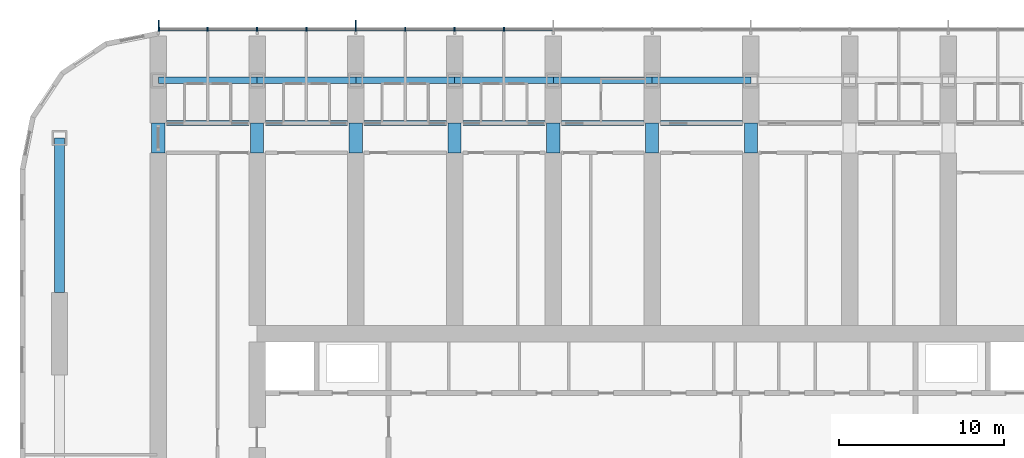
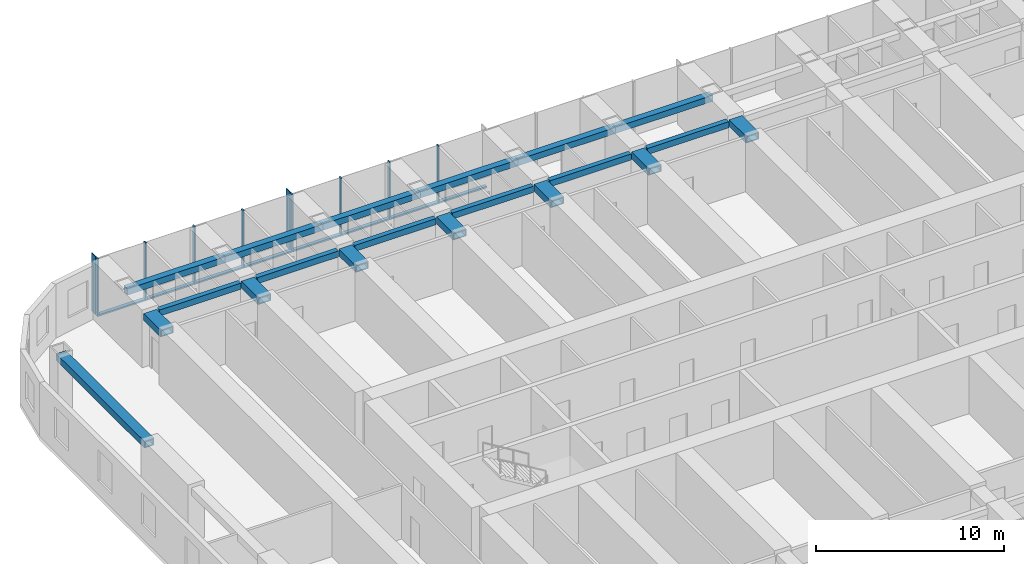
# One storey, part 4 of 25: 20 beams, 18 members, 1 element without a shape of its own.
"""IFC4 building model written with IfcOpenShell, lengths in metres."""

import ifcopenshell
import ifcopenshell.guid

model = None  # the IFC model being written
_history = None  # IfcOwnerHistory: only IFC2X3 demands one
_inside = {}  # id of a spatial element -> (the spatial element, [elements in it])
_under = {}  # id of a project, library or spatial element -> (it, [spatial elements below it])
_declared = {}  # id of a project -> (the project, [libraries it declares])
_typed = {}  # id of a type object -> (the type object, [elements of that type])
_made_of = {}  # id of a material, layer set ... -> (it, [elements and type objects made of it])


def new_model(schema):
    """Start an empty IFC model of exactly this schema.

    Asked for "IFC4X3", IfcOpenShell would pick the latest addendum, in which some entities
    have other attributes; the version numbers below select the first issue.
    IFC2X3 requires an IfcOwnerHistory on every rooted entity: one is made here for all.
    """
    global model, _history
    if schema == "IFC4X3":
        model = ifcopenshell.file(schema_version=(4, 3, 0, 0))
    else:
        model = ifcopenshell.file(schema=schema)
    _inside.clear()
    _under.clear()
    _declared.clear()
    _typed.clear()
    _made_of.clear()
    _history = None
    if model.schema == "IFC2X3":
        org = make("IfcOrganization", Name="unknown")
        user = make(
            "IfcPersonAndOrganization",
            ThePerson=make("IfcPerson", FamilyName="unknown"),
            TheOrganization=org,
        )
        app = make(
            "IfcApplication",
            ApplicationDeveloper=org,
            Version="unknown",
            ApplicationFullName="unknown",
            ApplicationIdentifier="unknown",
        )
        _history = make(
            "IfcOwnerHistory",
            OwningUser=user,
            OwningApplication=app,
            ChangeAction="ADDED",
            CreationDate=0,
        )
    return model


def make(cls, **values):
    """One entity of the class cls with the attributes given. An attribute that is None is left unset."""
    return model.create_entity(
        cls, **{name: value for name, value in values.items() if value is not None}
    )


def rooted(cls, **values):
    """An entity with a GlobalId (a new one), such as an element, a storey or a relation."""
    return make(cls, GlobalId=ifcopenshell.guid.new(), OwnerHistory=_history, **values)


def si_unit(unit_type, name, prefix=None):
    """IfcSIUnit, for example si_unit("LENGTHUNIT", "METRE", prefix="MILLI")."""
    return make("IfcSIUnit", UnitType=unit_type, Prefix=prefix, Name=name)


def assignment(units):
    """IfcUnitAssignment: the units of a project."""
    return None if units is None else make("IfcUnitAssignment", Units=units)


def point(xyz):
    """IfcCartesianPoint."""
    return None if xyz is None else make("IfcCartesianPoint", Coordinates=xyz)


def direction(xyz):
    """IfcDirection."""
    return None if xyz is None else make("IfcDirection", DirectionRatios=xyz)


def frame(location, z_axis=None, x_axis=None):
    """IfcAxis2Placement3D, a coordinate frame: its origin and axes. An axis left out is left unset."""
    return make(
        "IfcAxis2Placement3D",
        Location=point(location),
        Axis=direction(z_axis),
        RefDirection=direction(x_axis),
    )


def frame_2d(location, x_axis=None):
    """IfcAxis2Placement2D, a coordinate frame in the plane: its origin and x axis."""
    return make(
        "IfcAxis2Placement2D", Location=point(location), RefDirection=direction(x_axis)
    )


def origin():
    """The frame at (0, 0, 0) with its axes left unset."""
    return frame((0.0, 0.0, 0.0))


def origin_2d():
    """The frame at (0, 0) in the plane with its x axis left unset."""
    return frame_2d((0.0, 0.0))


def place(relative_to, where):
    """IfcLocalPlacement: puts the frame where relative to a parent placement (None: the world)."""
    return make(
        "IfcLocalPlacement", PlacementRelTo=relative_to, RelativePlacement=where
    )


def context(
    kind, dimensions, precision=None, world=None, true_north=None, identifier=None
):
    """IfcGeometricRepresentationContext, for example the 3D "Model" context."""
    return make(
        "IfcGeometricRepresentationContext",
        ContextIdentifier=identifier,
        ContextType=kind,
        CoordinateSpaceDimension=dimensions,
        Precision=precision,
        WorldCoordinateSystem=world,
        TrueNorth=true_north,
    )


def subcontext(parent, identifier, kind, view, scale=None):
    """IfcGeometricRepresentationSubContext, for example "Body" below "Model"."""
    return make(
        "IfcGeometricRepresentationSubContext",
        ContextIdentifier=identifier,
        ContextType=kind,
        ParentContext=parent,
        TargetScale=scale,
        TargetView=view,
    )


def project(units=None, contexts=None):
    """IfcProject with its units and contexts."""
    return rooted(
        "IfcProject",
        Name="project",
        RepresentationContexts=contexts,
        UnitsInContext=assignment(units),
    )


def spatial(cls, under=None, at=None, **own):
    """A site, building, storey or space (cls), placed at a placement, below another one or the project."""
    s = rooted(cls, ObjectPlacement=at, **own)
    if under is not None:
        _under.setdefault(under.id(), (under, []))[1].append(s)
    return s


def profile(cls, at=None, kind="AREA", **sizes):
    """A parametric profile (cls). Its sizes go by their IFC names, for example OverallWidth=200.0."""
    return make(cls, ProfileType=kind, Position=at, **sizes)


def rectangle(**sizes):
    """IfcRectangleProfileDef."""
    return profile("IfcRectangleProfileDef", **sizes)


def hollow_rectangle(**sizes):
    """IfcRectangleHollowProfileDef."""
    return profile("IfcRectangleHollowProfileDef", **sizes)


def extrude(swept, where, along, depth):
    """IfcExtrudedAreaSolid: the profile swept, set in the frame where, extruded along a direction by depth."""
    return make(
        "IfcExtrudedAreaSolid",
        SweptArea=swept,
        Position=where,
        ExtrudedDirection=direction(along),
        Depth=depth,
    )


def shape(context_of_items, identifier, shape_type, items):
    """IfcShapeRepresentation: the items that make up one representation, for example the "Body"."""
    return make(
        "IfcShapeRepresentation",
        ContextOfItems=context_of_items,
        RepresentationIdentifier=identifier,
        RepresentationType=shape_type,
        Items=items,
    )


def material(Name=None, Category=None):
    """IfcMaterial."""
    return make("IfcMaterial", Name=Name, Category=Category)


def material_profile(
    of_material, cross_section, Name=None, Category=None, Priority=None
):
    """IfcMaterialProfile: a cross section and its material."""
    return make(
        "IfcMaterialProfile",
        Name=Name,
        Material=of_material,
        Profile=cross_section,
        Priority=Priority,
        Category=Category,
    )


def profile_set(profiles, Name=None, composite=None):
    """IfcMaterialProfileSet."""
    return make(
        "IfcMaterialProfileSet",
        Name=Name,
        MaterialProfiles=profiles,
        CompositeProfile=composite,
    )


def made_of(thing, what):
    """Note that an element or type object is made of a material, layer set ...; save() writes the relation."""
    if what is not None:
        _made_of.setdefault(what.id(), (what, []))[1].append(thing)
    return thing


def type_object(cls, material=None, **own):
    """A type object (cls), such as IfcWallType, which elements share."""
    return made_of(rooted(cls, **own), material)


def element(
    cls,
    number,
    at=None,
    inside=None,
    cuts=None,
    type_object=None,
    material=None,
    context=None,
    identifier="Body",
    shape_type=None,
    held_by="IfcProductDefinitionShape",
    body=None,
    shapes=None,
    **own,
):
    """One element of the class cls, such as IfcWall. Its Tag is "e" and its number.

    at: its placement. inside: the storey or other place that contains it. cuts: it is an
    opening in that element (IfcRelVoidsElement). A single representation is given by context,
    identifier, shape_type and body (its items); several are given by shapes. held_by: the class
    of the entity that holds the representations. save() writes the other relations.
    """
    e = rooted(cls, Tag="e%d" % number, ObjectPlacement=at, **own)
    if body is not None:
        shapes = [shape(context, identifier, shape_type, body)]
    if shapes is not None:
        e.Representation = make(held_by, Representations=shapes)
    if inside is not None:
        _inside.setdefault(inside.id(), (inside, []))[1].append(e)
    if cuts is not None:
        rooted(
            "IfcRelVoidsElement", RelatingBuildingElement=cuts, RelatedOpeningElement=e
        )
    if type_object is not None:
        _typed.setdefault(type_object.id(), (type_object, []))[1].append(e)
    return made_of(e, material)


def aggregate(whole, parts):
    """IfcRelAggregates: a whole, such as a stair, and the parts it consists of."""
    return rooted("IfcRelAggregates", RelatingObject=whole, RelatedObjects=parts)


def save(model, path):
    """Write the relations noted so far, then the file.

    IfcRelAggregates (storeys below a building ...), IfcRelContainedInSpatialStructure (elements
    in a storey), IfcRelDefinesByType, IfcRelAssociatesMaterial and IfcRelDeclares: one each for
    every whole, place, type object, material and project.
    """
    for whole, parts in _under.values():
        aggregate(whole, parts)
    for where, things in _inside.values():
        rooted(
            "IfcRelContainedInSpatialStructure",
            RelatedElements=things,
            RelatingStructure=where,
        )
    for kind, things in _typed.values():
        rooted("IfcRelDefinesByType", RelatedObjects=things, RelatingType=kind)
    for what, things in _made_of.values():
        rooted("IfcRelAssociatesMaterial", RelatedObjects=things, RelatingMaterial=what)
    for by, libraries in _declared.values():
        rooted("IfcRelDeclares", RelatingContext=by, RelatedDefinitions=libraries)
    model.write(path)


model = new_model("IFC4")

# Units and contexts
model_context = context("Model", 3, precision=1e-05, world=origin(), true_north=direction((0.0, 1.0)))
body_context = subcontext(model_context, "Body", "Model", "MODEL_VIEW")
ifc_project = project(units=[si_unit("LENGTHUNIT", "METRE"), si_unit("AREAUNIT", "SQUARE_METRE"), si_unit("VOLUMEUNIT", "CUBIC_METRE"), si_unit("PLANEANGLEUNIT", "RADIAN"), si_unit("MASSUNIT", "GRAM", prefix="KILO")], contexts=[model_context])

# Site, building, storey
site_placement = place(None, origin())
site = spatial("IfcSite", under=ifc_project, at=site_placement, CompositionType="ELEMENT")
building_placement = place(site_placement, origin())
building = spatial("IfcBuilding", under=site, at=building_placement, Name="Orbita Commons", CompositionType="ELEMENT")
storey_placement = place(building_placement, frame((0.0, 0.0, 31.449951171875)))
storey = spatial("IfcBuildingStorey", under=building, at=storey_placement, Name="L07", CompositionType="ELEMENT", Elevation=31.449951171875)

# Curtain wall, members
ifc_material_1 = material(Name="Anodised aluminium frame, pale silver", Category="aluminium")
curtain_wall_type = type_object("IfcCurtainWallType", Name="Unitised curtain wall CW-T, vision and spandrel", PredefinedType="NOTDEFINED", material=ifc_material_1)
curtain_wall_placement = place(storey_placement, origin())
curtain_wall = element("IfcCurtainWall", 1, at=curtain_wall_placement, inside=storey, type_object=curtain_wall_type, Name="Curtain wall north L07", PredefinedType="NOTDEFINED")
ifc_material_2 = material(Name="Anodised aluminium, pale silver", Category="aluminium")
ifc_material_profile_1 = material_profile(ifc_material_2, rectangle(XDim=0.080078125, YDim=0.219970703125, at=origin_2d()), Name="AL 80x220")
ifc_profile_set_1 = profile_set([ifc_material_profile_1], Name="Anodised aluminium, pale silver")
member_type_1 = type_object("IfcMemberType", Name="Curtain wall mullion 80x220", PredefinedType="MULLION", material=ifc_profile_set_1)
member_1_placement = place(storey_placement, frame((33.0, 56.7099609375, -0.25), z_axis=(0.0, 0.0, 1.0), x_axis=(-1.0, 0.0, 0.0)))
member_1 = element("IfcMember", 2, at=member_1_placement, type_object=member_type_1, Name="Mullion 14 CW-L07-N", PredefinedType="MULLION", context=body_context, shape_type="SweptSolid", body=[
    extrude(rectangle(XDim=0.080078125, YDim=0.219970703125, at=origin_2d()), origin(), (0.0, 0.0, 1.0), 3.75),
])
member_2_placement = place(storey_placement, frame((30.0, 56.7099609375, -0.25), z_axis=(0.0, 0.0, 1.0), x_axis=(-1.0, 0.0, 0.0)))
member_2 = element("IfcMember", 3, at=member_2_placement, type_object=member_type_1, Name="Mullion 15 CW-L07-N", PredefinedType="MULLION", context=body_context, shape_type="SweptSolid", body=[
    extrude(rectangle(XDim=0.080078125, YDim=0.219970703125, at=origin_2d()), origin(), (0.0, 0.0, 1.0), 3.75),
])
member_3_placement = place(storey_placement, frame((27.0, 56.7099609375, -0.25), z_axis=(0.0, 0.0, 1.0), x_axis=(-1.0, 0.0, 0.0)))
member_3 = element("IfcMember", 4, at=member_3_placement, type_object=member_type_1, Name="Mullion 16 CW-L07-N", PredefinedType="MULLION", context=body_context, shape_type="SweptSolid", body=[
    extrude(rectangle(XDim=0.080078125, YDim=0.219970703125, at=origin_2d()), origin(), (0.0, 0.0, 1.0), 3.75),
])
member_4_placement = place(storey_placement, frame((24.0, 56.7099609375, -0.25), z_axis=(0.0, 0.0, 1.0), x_axis=(-1.0, 0.0, 0.0)))
member_4 = element("IfcMember", 5, at=member_4_placement, type_object=member_type_1, Name="Mullion 17 CW-L07-N", PredefinedType="MULLION", context=body_context, shape_type="SweptSolid", body=[
    extrude(rectangle(XDim=0.080078125, YDim=0.219970703125, at=origin_2d()), origin(), (0.0, 0.0, 1.0), 3.75),
])
member_5_placement = place(storey_placement, frame((21.0, 56.7099609375, -0.25), z_axis=(0.0, 0.0, 1.0), x_axis=(-1.0, 0.0, 0.0)))
member_5 = element("IfcMember", 6, at=member_5_placement, type_object=member_type_1, Name="Mullion 18 CW-L07-N", PredefinedType="MULLION", context=body_context, shape_type="SweptSolid", body=[
    extrude(rectangle(XDim=0.080078125, YDim=0.219970703125, at=origin_2d()), origin(), (0.0, 0.0, 1.0), 3.75),
])
member_6_placement = place(storey_placement, frame((18.0, 56.7099609375, -0.25), z_axis=(0.0, 0.0, 1.0), x_axis=(-1.0, 0.0, 0.0)))
member_6 = element("IfcMember", 7, at=member_6_placement, type_object=member_type_1, Name="Mullion 19 CW-L07-N", PredefinedType="MULLION", context=body_context, shape_type="SweptSolid", body=[
    extrude(rectangle(XDim=0.080078125, YDim=0.219970703125, at=origin_2d()), origin(), (0.0, 0.0, 1.0), 3.75),
])
member_7_placement = place(storey_placement, frame((15.0, 56.7099609375, -0.25), z_axis=(0.0, 0.0, 1.0), x_axis=(-1.0, 0.0, 0.0)))
member_7 = element("IfcMember", 8, at=member_7_placement, type_object=member_type_1, Name="Mullion 20 CW-L07-N", PredefinedType="MULLION", context=body_context, shape_type="SweptSolid", body=[
    extrude(rectangle(XDim=0.080078125, YDim=0.219970703125, at=origin_2d()), origin(), (0.0, 0.0, 1.0), 3.75),
])
member_8_placement = place(storey_placement, frame((12.0400390625, 56.7099609375, -0.25), z_axis=(0.0, 0.0, 1.0), x_axis=(-1.0, 0.0, 0.0)))
member_8 = element("IfcMember", 9, at=member_8_placement, type_object=member_type_1, Name="Mullion 21 CW-L07-N", PredefinedType="MULLION", context=body_context, shape_type="SweptSolid", body=[
    extrude(rectangle(XDim=0.080078125, YDim=0.219970703125, at=origin_2d()), origin(), (0.0, 0.0, 1.0), 3.75),
])
ifc_material_3 = material(Name="Anodised aluminium, pale silver", Category="aluminium")
ifc_material_profile_2 = material_profile(ifc_material_3, rectangle(XDim=0.219970703125, YDim=0.10009765625, at=origin_2d()), Name="AL 220x100")
ifc_profile_set_2 = profile_set([ifc_material_profile_2], Name="Anodised aluminium, pale silver")
member_type_2 = type_object("IfcMemberType", Name="Curtain wall stack transom 220x100", PredefinedType="USERDEFINED", material=ifc_profile_set_2)
member_9_placement = place(storey_placement, frame((35.9599609375, 56.7099609375, -0.199951171875), z_axis=(-1.0, 0.0, 0.0), x_axis=(0.0, -1.0, 0.0)))
member_9 = element("IfcMember", 10, at=member_9_placement, type_object=member_type_2, Name="Transom 13.1 CW-L07-N", ObjectType="TRANSOM", PredefinedType="USERDEFINED", context=body_context, shape_type="SweptSolid", body=[
    extrude(rectangle(XDim=0.219970703125, YDim=0.10009765625, at=origin_2d()), origin(), (0.0, 0.0, 1.0), 2.919921875),
])
member_10_placement = place(storey_placement, frame((32.9599609375, 56.7099609375, -0.199951171875), z_axis=(-1.0, 0.0, 0.0), x_axis=(0.0, -1.0, 0.0)))
member_10 = element("IfcMember", 11, at=member_10_placement, type_object=member_type_2, Name="Transom 14.1 CW-L07-N", ObjectType="TRANSOM", PredefinedType="USERDEFINED", context=body_context, shape_type="SweptSolid", body=[
    extrude(rectangle(XDim=0.219970703125, YDim=0.10009765625, at=origin_2d()), origin(), (0.0, 0.0, 1.0), 2.919921875),
])
member_11_placement = place(storey_placement, frame((29.9599609375, 56.7099609375, -0.199951171875), z_axis=(-1.0, 0.0, 0.0), x_axis=(0.0, -1.0, 0.0)))
member_11 = element("IfcMember", 12, at=member_11_placement, type_object=member_type_2, Name="Transom 15.1 CW-L07-N", ObjectType="TRANSOM", PredefinedType="USERDEFINED", context=body_context, shape_type="SweptSolid", body=[
    extrude(rectangle(XDim=0.219970703125, YDim=0.10009765625, at=origin_2d()), origin(), (0.0, 0.0, 1.0), 2.919921875),
])
member_12_placement = place(storey_placement, frame((26.9599609375, 56.7099609375, -0.199951171875), z_axis=(-1.0, 0.0, 0.0), x_axis=(0.0, -1.0, 0.0)))
member_12 = element("IfcMember", 13, at=member_12_placement, type_object=member_type_2, Name="Transom 16.1 CW-L07-N", ObjectType="TRANSOM", PredefinedType="USERDEFINED", context=body_context, shape_type="SweptSolid", body=[
    extrude(rectangle(XDim=0.219970703125, YDim=0.10009765625, at=origin_2d()), origin(), (0.0, 0.0, 1.0), 2.919921875),
])
member_13_placement = place(storey_placement, frame((23.9599609375, 56.7099609375, -0.199951171875), z_axis=(-1.0, 0.0, 0.0), x_axis=(0.0, -1.0, 0.0)))
member_13 = element("IfcMember", 14, at=member_13_placement, type_object=member_type_2, Name="Transom 17.1 CW-L07-N", ObjectType="TRANSOM", PredefinedType="USERDEFINED", context=body_context, shape_type="SweptSolid", body=[
    extrude(rectangle(XDim=0.219970703125, YDim=0.10009765625, at=origin_2d()), origin(), (0.0, 0.0, 1.0), 2.919921875),
])
member_14_placement = place(storey_placement, frame((20.9599609375, 56.7099609375, -0.199951171875), z_axis=(-1.0, 0.0, 0.0), x_axis=(0.0, -1.0, 0.0)))
member_14 = element("IfcMember", 15, at=member_14_placement, type_object=member_type_2, Name="Transom 18.1 CW-L07-N", ObjectType="TRANSOM", PredefinedType="USERDEFINED", context=body_context, shape_type="SweptSolid", body=[
    extrude(rectangle(XDim=0.219970703125, YDim=0.10009765625, at=origin_2d()), origin(), (0.0, 0.0, 1.0), 2.919921875),
])
member_15_placement = place(storey_placement, frame((17.9599609375, 56.7099609375, -0.199951171875), z_axis=(-1.0, 0.0, 0.0), x_axis=(0.0, -1.0, 0.0)))
member_15 = element("IfcMember", 16, at=member_15_placement, type_object=member_type_2, Name="Transom 19.1 CW-L07-N", ObjectType="TRANSOM", PredefinedType="USERDEFINED", context=body_context, shape_type="SweptSolid", body=[
    extrude(rectangle(XDim=0.219970703125, YDim=0.10009765625, at=origin_2d()), origin(), (0.0, 0.0, 1.0), 2.919921875),
])
member_16_placement = place(storey_placement, frame((14.9599609375, 56.7099609375, -0.199951171875), z_axis=(-1.0, 0.0, 0.0), x_axis=(0.0, -1.0, 0.0)))
member_16 = element("IfcMember", 17, at=member_16_placement, type_object=member_type_2, Name="Transom 20.1 CW-L07-N", ObjectType="TRANSOM", PredefinedType="USERDEFINED", context=body_context, shape_type="SweptSolid", body=[
    extrude(rectangle(XDim=0.219970703125, YDim=0.10009765625, at=origin_2d()), origin(), (0.0, 0.0, 1.0), 2.8798828125),
])

# Beams
ifc_material_4 = material(Name="Steel ASTM A572 Gr 50 welded plate", Category="steel")
ifc_material_profile_3 = material_profile(ifc_material_4, hollow_rectangle(XDim=0.300048828125, YDim=0.39990234375, WallThickness=0.0400390625, at=origin_2d()), Name="BOX 400x300x40")
ifc_profile_set_3 = profile_set([ifc_material_profile_3], Name="Steel ASTM A572 Gr 50 welded plate")
beam_type_1 = type_object("IfcBeamType", Name="Steel corridor link BOX 400x300x40", PredefinedType="BEAM", material=ifc_profile_set_3)
for number, where, z_axis, x_axis, name in (
    (18, (12.5, 51.0, 3.300048828125), (1.0, 0.0, 0.0), (0.0, 1.0, 0.0), "Corridor beam NB 3-4 L07"),
    (19, (18.5, 51.0, 3.300048828125), (1.0, 0.0, 0.0), (0.0, 1.0, 0.0), "Corridor beam NB 4-5 L07"),
    (20, (24.5, 51.0, 3.300048828125), (1.0, 0.0, 0.0), (0.0, 1.0, 0.0), "Corridor beam NB 5-6 L07"),
    (21, (30.5, 51.0, 3.300048828125), (1.0, 0.0, 0.0), (0.0, 1.0, 0.0), "Corridor beam NB 6-7 L07"),
    (22, (36.5, 51.0, 3.300048828125), (1.0, 0.0, 0.0), (0.0, 1.0, 0.0), "Corridor beam NB 7-8 L07"),
    (23, (42.5, 51.0, 3.300048828125), (1.0, 0.0, 0.0), (0.0, 1.0, 0.0), "Corridor beam NB 8-9 L07"),
):
    element("IfcBeam", number, at=place(storey_placement, frame(where, z_axis=z_axis, x_axis=x_axis)), inside=storey, type_object=beam_type_1, Name=name, PredefinedType="BEAM", context=body_context, shape_type="SweptSolid", body=[
        extrude(hollow_rectangle(XDim=0.300048828125, YDim=0.39990234375, WallThickness=0.0400390625, at=origin_2d()), origin(), (0.0, 0.0, 1.0), 5.0),
    ])
ifc_material_5 = material(Name="Steel ASTM A572 Gr 50 welded plate", Category="steel")
ifc_material_profile_4 = material_profile(ifc_material_5, hollow_rectangle(XDim=0.800048828125, YDim=0.449951171875, WallThickness=0.06005859375, at=origin_2d()), Name="BOX 450x800x60")
ifc_profile_set_4 = profile_set([ifc_material_profile_4], Name="Steel ASTM A572 Gr 50 welded plate")
beam_type_2 = type_object("IfcBeamType", Name="Steel coupling link BOX 450x800x60", PredefinedType="LINTEL", material=ifc_profile_set_4)
for number, where, z_axis, x_axis, name in (
    (24, (12.0, 49.199951171875, 3.275146484375), (0.0, 1.0, 0.0), (-1.0, 0.0, 0.0), "Coupling beam 3 north L07"),
    (25, (18.0, 49.199951171875, 3.275146484375), (0.0, 1.0, 0.0), (-1.0, 0.0, 0.0), "Coupling beam 4 north L07"),
    (26, (24.0, 49.199951171875, 3.275146484375), (0.0, 1.0, 0.0), (-1.0, 0.0, 0.0), "Coupling beam 5 north L07"),
    (27, (30.0, 49.199951171875, 3.275146484375), (0.0, 1.0, 0.0), (-1.0, 0.0, 0.0), "Coupling beam 6 north L07"),
    (28, (36.0, 49.199951171875, 3.275146484375), (0.0, 1.0, 0.0), (-1.0, 0.0, 0.0), "Coupling beam 7 north L07"),
    (29, (42.0, 49.199951171875, 3.275146484375), (0.0, 1.0, 0.0), (-1.0, 0.0, 0.0), "Coupling beam 8 north L07"),
    (30, (48.0, 49.199951171875, 3.275146484375), (0.0, 1.0, 0.0), (-1.0, 0.0, 0.0), "Coupling beam 9 north L07"),
):
    element("IfcBeam", number, at=place(storey_placement, frame(where, z_axis=z_axis, x_axis=x_axis)), inside=storey, type_object=beam_type_2, Name=name, PredefinedType="LINTEL", context=body_context, shape_type="SweptSolid", body=[
        extrude(hollow_rectangle(XDim=0.800048828125, YDim=0.449951171875, WallThickness=0.06005859375, at=origin_2d()), origin(), (0.0, 0.0, 1.0), 1.800048828125),
    ])
ifc_material_6 = material(Name="Steel ASTM A572 Gr 50 welded plate", Category="steel")
ifc_material_profile_5 = material_profile(ifc_material_6, hollow_rectangle(XDim=0.60009765625, YDim=0.449951171875, WallThickness=0.06005859375, at=origin_2d()), Name="BOX 450x600x60")
ifc_profile_set_5 = profile_set([ifc_material_profile_5], Name="Steel ASTM A572 Gr 50 welded plate")
beam_type_3 = type_object("IfcBeamType", Name="Steel end frame link BOX 450x600x60", PredefinedType="BEAM", material=ifc_profile_set_5)
beam_placement = place(storey_placement, frame((6.0, 40.699951171875, 3.275146484375), z_axis=(0.0, 1.0, 0.0), x_axis=(-1.0, 0.0, 0.0)))
element("IfcBeam", 31, at=beam_placement, inside=storey, type_object=beam_type_3, Name="End frame beam 2 D-E L07", PredefinedType="BEAM", context=body_context, shape_type="SweptSolid", body=[
    extrude(hollow_rectangle(XDim=0.60009765625, YDim=0.449951171875, WallThickness=0.06005859375, at=origin_2d()), origin(), (0.0, 0.0, 1.0), 9.400146484375),
])
ifc_material_7 = material(Name="Steel ASTM A572 Gr 50 welded plate", Category="steel")
ifc_material_profile_6 = material_profile(ifc_material_7, hollow_rectangle(XDim=0.39990234375, YDim=0.39990234375, WallThickness=0.0400390625, at=origin_2d()), Name="BOX 400x400x40")
ifc_profile_set_6 = profile_set([ifc_material_profile_6], Name="Steel ASTM A572 Gr 50 welded plate")
beam_type_4 = type_object("IfcBeamType", Name="Steel spandrel BOX 400x400x40", PredefinedType="SPANDREL", material=ifc_profile_set_6)
for number, where, z_axis, x_axis, name in (
    (32, (12.0, 53.60009765625, 3.300048828125), (1.0, 0.0, 0.0), (0.0, 1.0, 0.0), "Spandrel beam E 3-4 L07"),
    (33, (18.0, 53.60009765625, 3.300048828125), (1.0, 0.0, 0.0), (0.0, 1.0, 0.0), "Spandrel beam E 4-5 L07"),
    (34, (24.0, 53.60009765625, 3.300048828125), (1.0, 0.0, 0.0), (0.0, 1.0, 0.0), "Spandrel beam E 5-6 L07"),
    (35, (30.0, 53.60009765625, 3.300048828125), (1.0, 0.0, 0.0), (0.0, 1.0, 0.0), "Spandrel beam E 6-7 L07"),
    (36, (36.0, 53.60009765625, 3.300048828125), (1.0, 0.0, 0.0), (0.0, 1.0, 0.0), "Spandrel beam E 7-8 L07"),
    (37, (42.0, 53.60009765625, 3.300048828125), (1.0, 0.0, 0.0), (0.0, 1.0, 0.0), "Spandrel beam E 8-9 L07"),
):
    element("IfcBeam", number, at=place(storey_placement, frame(where, z_axis=z_axis, x_axis=x_axis)), inside=storey, type_object=beam_type_4, Name=name, PredefinedType="SPANDREL", context=body_context, shape_type="SweptSolid", body=[
        extrude(hollow_rectangle(XDim=0.39990234375, YDim=0.39990234375, WallThickness=0.0400390625, at=origin_2d()), origin(), (0.0, 0.0, 1.0), 6.0),
    ])

# Member
ifc_material_8 = material(Name="Anodised aluminium, pale silver", Category="aluminium")
ifc_material_profile_7 = material_profile(ifc_material_8, rectangle(XDim=0.06005859375, YDim=0.449951171875, at=origin_2d()), Name="FIN 60x450")
ifc_profile_set_7 = profile_set([ifc_material_profile_7], Name="Anodised aluminium, pale silver")
member_type_3 = type_object("IfcMemberType", Name="Vertical fin 60x450 pale aluminium", PredefinedType="USERDEFINED", material=ifc_profile_set_7)
member_17_placement = place(storey_placement, frame((24.0, 57.044921875, -0.25), z_axis=(0.0, 0.0, 1.0), x_axis=(-1.0, 0.0, 0.0)))
member_17 = element("IfcMember", 38, at=member_17_placement, type_object=member_type_3, Name="Fin 17 CW-L07-N", ObjectType="FIN", PredefinedType="USERDEFINED", context=body_context, shape_type="SweptSolid", body=[
    extrude(rectangle(XDim=0.06005859375, YDim=0.449951171875, at=origin_2d()), origin(), (0.0, 0.0, 1.0), 3.75),
])

member_18_placement = place(storey_placement, frame((12.0400390625, 57.044921875, -0.25), z_axis=(0.0, 0.0, 1.0), x_axis=(-1.0, 0.0, 0.0)))
member_18 = element("IfcMember", 39, at=member_18_placement, type_object=member_type_3, Name="Fin 21 CW-L07-N", ObjectType="FIN", PredefinedType="USERDEFINED", context=body_context, shape_type="SweptSolid", body=[
    extrude(rectangle(XDim=0.06005859375, YDim=0.449951171875, at=origin_2d()), origin(), (0.0, 0.0, 1.0), 3.75),
])

aggregate(curtain_wall, [member_1, member_2, member_3, member_4, member_17, member_5, member_6, member_7, member_8, member_18, member_9, member_10, member_11, member_12, member_13, member_14, member_15, member_16])

save(model, "model.ifc")
